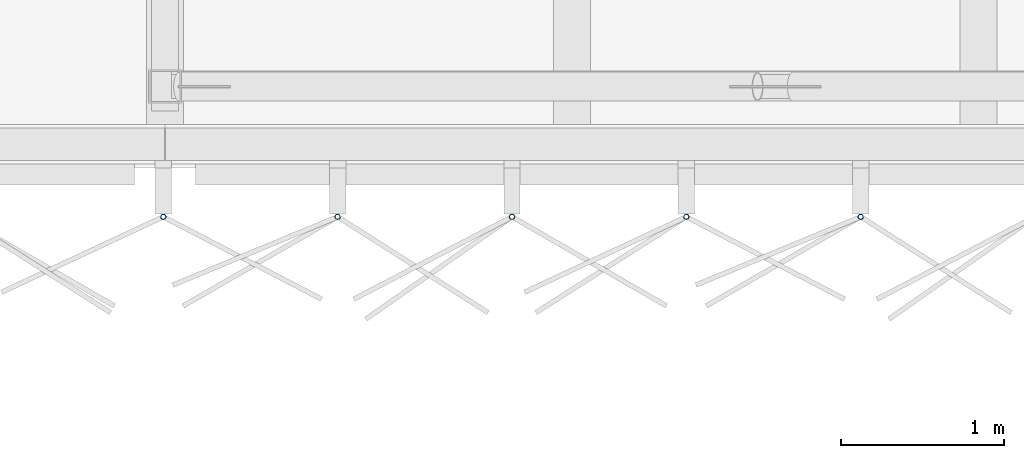
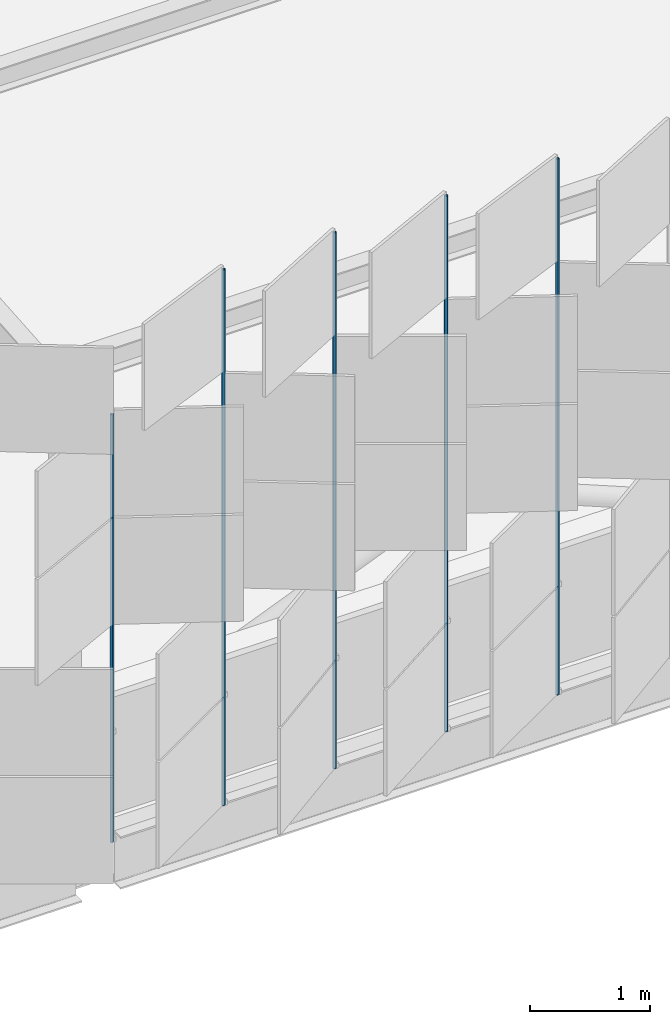
# One storey, part 145 of 483: 5 discrete accessories.
"""IFC4 building model written with IfcOpenShell, lengths in metres."""

from ifc_helpers import new_model, si_unit, direction, frame, origin, origin_2d, place, context, subcontext, project, spatial, hollow_circle, extrude, material, material_profile, profile_set, type_object, element, save


model = new_model("IFC4")

# Units and contexts
model_context = context("Model", 3, precision=1e-05, world=origin(), true_north=direction((0.0, 1.0)))
body_context = subcontext(model_context, "Body", "Model", "MODEL_VIEW")
ifc_project = project(units=[si_unit("LENGTHUNIT", "METRE"), si_unit("AREAUNIT", "SQUARE_METRE"), si_unit("VOLUMEUNIT", "CUBIC_METRE"), si_unit("PLANEANGLEUNIT", "RADIAN"), si_unit("MASSUNIT", "GRAM", prefix="KILO")], contexts=[model_context])

# Site, building, storey
site_placement = place(None, origin())
site = spatial("IfcSite", under=ifc_project, at=site_placement, CompositionType="ELEMENT")
building_placement = place(site_placement, origin())
building = spatial("IfcBuilding", under=site, at=building_placement, Name="Parallax Yard Mobility Hub", CompositionType="ELEMENT")
storey_placement = place(building_placement, frame((0.0, 0.0, 13.199951171875)))
storey = spatial("IfcBuildingStorey", under=building, at=storey_placement, Name="L04", CompositionType="ELEMENT", Elevation=13.199951171875)

# Discrete accessories
ifc_material = material(Name="Steel ASTM A500 Gr C, hot-dip galvanised", Category="steel")
ifc_material_profile = material_profile(ifc_material, hollow_circle(Radius=0.016845703125, WallThickness=0.003173828125, at=origin_2d()), Name="CHS 33.7x3.2")
ifc_profile_set = profile_set([ifc_material_profile], Name="Steel ASTM A500 Gr C, hot-dip galvanised")
discrete_accessory_type = type_object("IfcDiscreteAccessoryType", Name="Hinge post CHS 33.7x3.2", PredefinedType="BRACKET", material=ifc_profile_set)
discrete_accessory_placement = place(storey_placement, frame((89.989501953125, 112.199951171875, 0.0), z_axis=(0.0, 0.0, 1.0), x_axis=(1.0, 0.0, 0.0)))
element("IfcDiscreteAccessory", 1, at=discrete_accessory_placement, inside=storey, type_object=discrete_accessory_type, Name="Hinge post bay 8.1 level L04", PredefinedType="BRACKET", context=body_context, shape_type="SweptSolid", body=[
    extrude(hollow_circle(Radius=0.016845703125, WallThickness=0.003173828125, at=origin_2d()), origin(), (0.0, 0.0, 1.0), 4.35009765625),
])
for number, where, z_axis, x_axis, name in (
    (2, (91.060791015625, 112.199951171875, 0.0), (0.0, 0.0, 1.0), (1.0, 0.0, 0.0), "Hinge post bay 8.2 level L04"),
    (3, (92.13232421875, 112.199951171875, 0.0), (0.0, 0.0, 1.0), (1.0, 0.0, 0.0), "Hinge post bay 8.3 level L04"),
    (4, (93.203857421875, 112.199951171875, 0.0), (0.0, 0.0, 1.0), (1.0, 0.0, 0.0), "Hinge post bay 8.4 level L04"),
    (5, (94.275390625, 112.199951171875, 0.0), (0.0, 0.0, 1.0), (1.0, 0.0, 0.0), "Hinge post bay 8.5 level L04"),
):
    element("IfcDiscreteAccessory", number, at=place(storey_placement, frame(where, z_axis=z_axis, x_axis=x_axis)), inside=storey, type_object=discrete_accessory_type, Name=name, PredefinedType="BRACKET", context=body_context, shape_type="SweptSolid", body=[
        extrude(hollow_circle(Radius=0.016845703125, WallThickness=0.003173828125, at=origin_2d()), origin(), (0.0, 0.0, 1.0), 5.449951171875),
    ])

save(model, "model.ifc")
